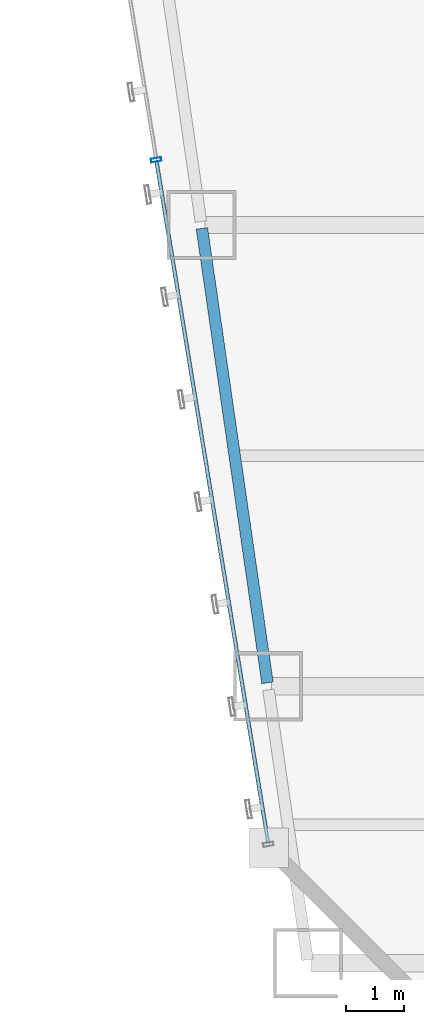
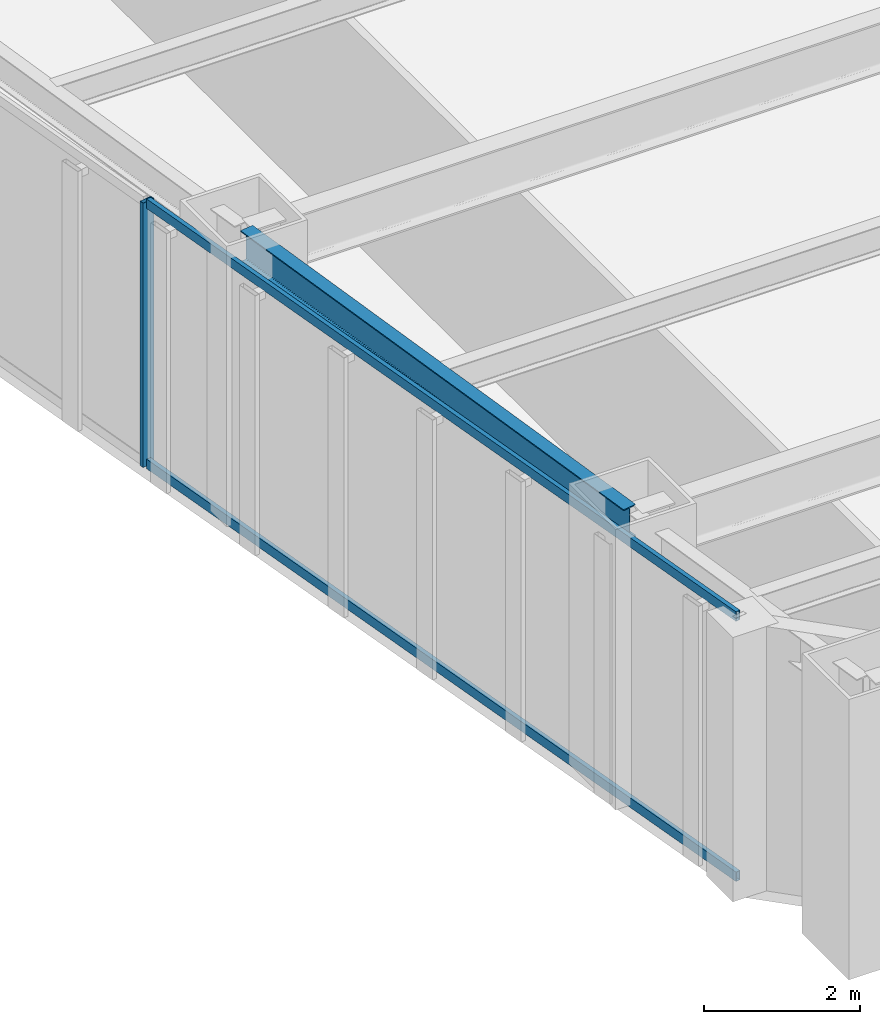
# One storey, part 5 of 47: 3 members, 1 beam, 1 element without a shape of its own.
"""IFC4 building model written with IfcOpenShell, lengths in metres."""

import ifcopenshell
import ifcopenshell.guid

model = None  # the IFC model being written
_history = None  # IfcOwnerHistory: only IFC2X3 demands one
_inside = {}  # id of a spatial element -> (the spatial element, [elements in it])
_under = {}  # id of a project, library or spatial element -> (it, [spatial elements below it])
_declared = {}  # id of a project -> (the project, [libraries it declares])
_typed = {}  # id of a type object -> (the type object, [elements of that type])
_made_of = {}  # id of a material, layer set ... -> (it, [elements and type objects made of it])


def new_model(schema):
    """Start an empty IFC model of exactly this schema.

    Asked for "IFC4X3", IfcOpenShell would pick the latest addendum, in which some entities
    have other attributes; the version numbers below select the first issue.
    IFC2X3 requires an IfcOwnerHistory on every rooted entity: one is made here for all.
    """
    global model, _history
    if schema == "IFC4X3":
        model = ifcopenshell.file(schema_version=(4, 3, 0, 0))
    else:
        model = ifcopenshell.file(schema=schema)
    _inside.clear()
    _under.clear()
    _declared.clear()
    _typed.clear()
    _made_of.clear()
    _history = None
    if model.schema == "IFC2X3":
        org = make("IfcOrganization", Name="unknown")
        user = make(
            "IfcPersonAndOrganization",
            ThePerson=make("IfcPerson", FamilyName="unknown"),
            TheOrganization=org,
        )
        app = make(
            "IfcApplication",
            ApplicationDeveloper=org,
            Version="unknown",
            ApplicationFullName="unknown",
            ApplicationIdentifier="unknown",
        )
        _history = make(
            "IfcOwnerHistory",
            OwningUser=user,
            OwningApplication=app,
            ChangeAction="ADDED",
            CreationDate=0,
        )
    return model


def make(cls, **values):
    """One entity of the class cls with the attributes given. An attribute that is None is left unset."""
    return model.create_entity(
        cls, **{name: value for name, value in values.items() if value is not None}
    )


def rooted(cls, **values):
    """An entity with a GlobalId (a new one), such as an element, a storey or a relation."""
    return make(cls, GlobalId=ifcopenshell.guid.new(), OwnerHistory=_history, **values)


def si_unit(unit_type, name, prefix=None):
    """IfcSIUnit, for example si_unit("LENGTHUNIT", "METRE", prefix="MILLI")."""
    return make("IfcSIUnit", UnitType=unit_type, Prefix=prefix, Name=name)


def assignment(units):
    """IfcUnitAssignment: the units of a project."""
    return None if units is None else make("IfcUnitAssignment", Units=units)


def point(xyz):
    """IfcCartesianPoint."""
    return None if xyz is None else make("IfcCartesianPoint", Coordinates=xyz)


def direction(xyz):
    """IfcDirection."""
    return None if xyz is None else make("IfcDirection", DirectionRatios=xyz)


def frame(location, z_axis=None, x_axis=None):
    """IfcAxis2Placement3D, a coordinate frame: its origin and axes. An axis left out is left unset."""
    return make(
        "IfcAxis2Placement3D",
        Location=point(location),
        Axis=direction(z_axis),
        RefDirection=direction(x_axis),
    )


def frame_2d(location, x_axis=None):
    """IfcAxis2Placement2D, a coordinate frame in the plane: its origin and x axis."""
    return make(
        "IfcAxis2Placement2D", Location=point(location), RefDirection=direction(x_axis)
    )


def origin():
    """The frame at (0, 0, 0) with its axes left unset."""
    return frame((0.0, 0.0, 0.0))


def origin_2d():
    """The frame at (0, 0) in the plane with its x axis left unset."""
    return frame_2d((0.0, 0.0))


def place(relative_to, where):
    """IfcLocalPlacement: puts the frame where relative to a parent placement (None: the world)."""
    return make(
        "IfcLocalPlacement", PlacementRelTo=relative_to, RelativePlacement=where
    )


def context(
    kind, dimensions, precision=None, world=None, true_north=None, identifier=None
):
    """IfcGeometricRepresentationContext, for example the 3D "Model" context."""
    return make(
        "IfcGeometricRepresentationContext",
        ContextIdentifier=identifier,
        ContextType=kind,
        CoordinateSpaceDimension=dimensions,
        Precision=precision,
        WorldCoordinateSystem=world,
        TrueNorth=true_north,
    )


def subcontext(parent, identifier, kind, view, scale=None):
    """IfcGeometricRepresentationSubContext, for example "Body" below "Model"."""
    return make(
        "IfcGeometricRepresentationSubContext",
        ContextIdentifier=identifier,
        ContextType=kind,
        ParentContext=parent,
        TargetScale=scale,
        TargetView=view,
    )


def project(units=None, contexts=None):
    """IfcProject with its units and contexts."""
    return rooted(
        "IfcProject",
        Name="project",
        RepresentationContexts=contexts,
        UnitsInContext=assignment(units),
    )


def spatial(cls, under=None, at=None, **own):
    """A site, building, storey or space (cls), placed at a placement, below another one or the project."""
    s = rooted(cls, ObjectPlacement=at, **own)
    if under is not None:
        _under.setdefault(under.id(), (under, []))[1].append(s)
    return s


def profile(cls, at=None, kind="AREA", **sizes):
    """A parametric profile (cls). Its sizes go by their IFC names, for example OverallWidth=200.0."""
    return make(cls, ProfileType=kind, Position=at, **sizes)


def hollow_rectangle(**sizes):
    """IfcRectangleHollowProfileDef."""
    return profile("IfcRectangleHollowProfileDef", **sizes)


def i_section(**sizes):
    """IfcIShapeProfileDef."""
    return profile("IfcIShapeProfileDef", **sizes)


def extrude(swept, where, along, depth):
    """IfcExtrudedAreaSolid: the profile swept, set in the frame where, extruded along a direction by depth."""
    return make(
        "IfcExtrudedAreaSolid",
        SweptArea=swept,
        Position=where,
        ExtrudedDirection=direction(along),
        Depth=depth,
    )


def shape(context_of_items, identifier, shape_type, items):
    """IfcShapeRepresentation: the items that make up one representation, for example the "Body"."""
    return make(
        "IfcShapeRepresentation",
        ContextOfItems=context_of_items,
        RepresentationIdentifier=identifier,
        RepresentationType=shape_type,
        Items=items,
    )


def material(Name=None, Category=None):
    """IfcMaterial."""
    return make("IfcMaterial", Name=Name, Category=Category)


def material_profile(
    of_material, cross_section, Name=None, Category=None, Priority=None
):
    """IfcMaterialProfile: a cross section and its material."""
    return make(
        "IfcMaterialProfile",
        Name=Name,
        Material=of_material,
        Profile=cross_section,
        Priority=Priority,
        Category=Category,
    )


def profile_set(profiles, Name=None, composite=None):
    """IfcMaterialProfileSet."""
    return make(
        "IfcMaterialProfileSet",
        Name=Name,
        MaterialProfiles=profiles,
        CompositeProfile=composite,
    )


def made_of(thing, what):
    """Note that an element or type object is made of a material, layer set ...; save() writes the relation."""
    if what is not None:
        _made_of.setdefault(what.id(), (what, []))[1].append(thing)
    return thing


def type_object(cls, material=None, **own):
    """A type object (cls), such as IfcWallType, which elements share."""
    return made_of(rooted(cls, **own), material)


def element(
    cls,
    number,
    at=None,
    inside=None,
    cuts=None,
    type_object=None,
    material=None,
    context=None,
    identifier="Body",
    shape_type=None,
    held_by="IfcProductDefinitionShape",
    body=None,
    shapes=None,
    **own,
):
    """One element of the class cls, such as IfcWall. Its Tag is "e" and its number.

    at: its placement. inside: the storey or other place that contains it. cuts: it is an
    opening in that element (IfcRelVoidsElement). A single representation is given by context,
    identifier, shape_type and body (its items); several are given by shapes. held_by: the class
    of the entity that holds the representations. save() writes the other relations.
    """
    e = rooted(cls, Tag="e%d" % number, ObjectPlacement=at, **own)
    if body is not None:
        shapes = [shape(context, identifier, shape_type, body)]
    if shapes is not None:
        e.Representation = make(held_by, Representations=shapes)
    if inside is not None:
        _inside.setdefault(inside.id(), (inside, []))[1].append(e)
    if cuts is not None:
        rooted(
            "IfcRelVoidsElement", RelatingBuildingElement=cuts, RelatedOpeningElement=e
        )
    if type_object is not None:
        _typed.setdefault(type_object.id(), (type_object, []))[1].append(e)
    return made_of(e, material)


def aggregate(whole, parts):
    """IfcRelAggregates: a whole, such as a stair, and the parts it consists of."""
    return rooted("IfcRelAggregates", RelatingObject=whole, RelatedObjects=parts)


def save(model, path):
    """Write the relations noted so far, then the file.

    IfcRelAggregates (storeys below a building ...), IfcRelContainedInSpatialStructure (elements
    in a storey), IfcRelDefinesByType, IfcRelAssociatesMaterial and IfcRelDeclares: one each for
    every whole, place, type object, material and project.
    """
    for whole, parts in _under.values():
        aggregate(whole, parts)
    for where, things in _inside.values():
        rooted(
            "IfcRelContainedInSpatialStructure",
            RelatedElements=things,
            RelatingStructure=where,
        )
    for kind, things in _typed.values():
        rooted("IfcRelDefinesByType", RelatedObjects=things, RelatingType=kind)
    for what, things in _made_of.values():
        rooted("IfcRelAssociatesMaterial", RelatedObjects=things, RelatingMaterial=what)
    for by, libraries in _declared.values():
        rooted("IfcRelDeclares", RelatingContext=by, RelatedDefinitions=libraries)
    model.write(path)


model = new_model("IFC4")

# Units and contexts
model_context = context("Model", 3, precision=1e-05, world=origin(), true_north=direction((0.0, 1.0)))
body_context = subcontext(model_context, "Body", "Model", "MODEL_VIEW")
ifc_project = project(units=[si_unit("LENGTHUNIT", "METRE"), si_unit("AREAUNIT", "SQUARE_METRE"), si_unit("VOLUMEUNIT", "CUBIC_METRE"), si_unit("PLANEANGLEUNIT", "RADIAN"), si_unit("MASSUNIT", "GRAM", prefix="KILO")], contexts=[model_context])

# Site, building, storey
site_placement = place(None, origin())
site = spatial("IfcSite", under=ifc_project, at=site_placement, CompositionType="ELEMENT")
building_placement = place(site_placement, origin())
building = spatial("IfcBuilding", under=site, at=building_placement, Name="Saevonmaru Cultural Tower", CompositionType="ELEMENT")
storey_placement = place(building_placement, frame((0.0, 0.0, 64.800048828125)))
storey = spatial("IfcBuildingStorey", under=building, at=storey_placement, Name="L13", CompositionType="ELEMENT", Elevation=64.800048828125)

# Beam
ifc_material_1 = material(Name="Steel SM355", Category="steel")
ifc_material_profile_1 = material_profile(ifc_material_1, i_section(OverallWidth=0.199951171875, OverallDepth=0.5, WebThickness=0.010009765625, FlangeThickness=0.01611328125, FilletRadius=0.02001953125, at=origin_2d()), Name="H-500x200x10x16")
ifc_profile_set_1 = profile_set([ifc_material_profile_1], Name="Steel SM355")
beam_type = type_object("IfcBeamType", Name="BM-SP-H500", PredefinedType="SPANDREL", material=ifc_profile_set_1)
beam_placement = place(storey_placement, frame((11.7744140625, 8.059326171875, 3.89990234375), z_axis=(-0.142871999001, 0.989741174197, 0.0), x_axis=(-0.989741174197, -0.142871999001, 0.0)))
element("IfcBeam", 1, at=beam_placement, inside=storey, type_object=beam_type, Name="L13 West Splayed Spandrel 2", PredefinedType="SPANDREL", context=body_context, shape_type="SweptSolid", body=[
    extrude(i_section(OverallWidth=0.199951171875, OverallDepth=0.5, WebThickness=0.010009765625, FlangeThickness=0.01611328125, FilletRadius=0.02001953125, at=origin_2d()), origin(), (0.0, 0.0, 1.0), 7.963134765625),
])

# Curtain wall, members
ifc_material_2 = material(Name="Satin Bronze Anodised Aluminium", Category="aluminium")
curtain_wall_type = type_object("IfcCurtainWallType", Name="CW-TYP-A", PredefinedType="NOTDEFINED", material=ifc_material_2)
curtain_wall_placement = place(storey_placement, origin())
curtain_wall = element("IfcCurtainWall", 2, at=curtain_wall_placement, inside=storey, type_object=curtain_wall_type, Name="L13 Unitised Curtain Wall E12", PredefinedType="NOTDEFINED")
ifc_material_profile_2 = material_profile(ifc_material_2, hollow_rectangle(XDim=0.06494140625, YDim=0.179931640625, WallThickness=0.00390625, at=origin_2d()), Name="ALU-MULL-180x65x4")
ifc_profile_set_2 = profile_set([ifc_material_profile_2], Name="Satin Bronze Anodised Aluminium")
member_type_1 = type_object("IfcMemberType", Name="ML-CW-180x65", PredefinedType="MULLION", material=ifc_profile_set_2)
member_1_placement = place(storey_placement, frame((9.84521484375, 17.129638671875, 0.0), z_axis=(0.0, 0.0, 1.0), x_axis=(0.161708868641, -0.986838508472, 0.0)))
member_1 = element("IfcMember", 3, at=member_1_placement, type_object=member_type_1, Name="CW-TW-L13-E12 mullion 4", PredefinedType="MULLION", context=body_context, shape_type="SweptSolid", body=[
    extrude(hollow_rectangle(XDim=0.06494140625, YDim=0.179931640625, WallThickness=0.00390625, at=origin_2d()), origin(), (0.0, 0.0, 1.0), 4.14990234375),
])
ifc_material_profile_3 = material_profile(ifc_material_2, hollow_rectangle(XDim=0.06494140625, YDim=0.14990234375, WallThickness=0.00390625, at=origin_2d()), Name="ALU-TRAN-150x65x4")
ifc_profile_set_3 = profile_set([ifc_material_profile_3], Name="Satin Bronze Anodised Aluminium")
member_type_2 = type_object("IfcMemberType", Name="TR-CW-150x65", PredefinedType="USERDEFINED", material=ifc_profile_set_3)
member_2_placement = place(storey_placement, frame((9.850341796875, 17.097412109375, 0.032470703125), z_axis=(0.161724530373, -0.986835941925, 0.0), x_axis=(0.986835941925, 0.161724530373, 0.0)))
member_2 = element("IfcMember", 4, at=member_2_placement, type_object=member_type_2, Name="CW-TW-L13-E12 transom 4.1", ObjectType="TRANSOM", PredefinedType="USERDEFINED", context=body_context, shape_type="SweptSolid", body=[
    extrude(hollow_rectangle(XDim=0.06494140625, YDim=0.14990234375, WallThickness=0.00390625, at=origin_2d()), origin(), (0.0, 0.0, 1.0), 11.963623046875),
])
member_3_placement = place(storey_placement, frame((9.850341796875, 17.097412109375, 4.117431640625), z_axis=(0.161724530373, -0.986835941925, 0.0), x_axis=(0.986835941925, 0.161724530373, 0.0)))
member_3 = element("IfcMember", 5, at=member_3_placement, type_object=member_type_2, Name="CW-TW-L13-E12 transom 4.2", ObjectType="TRANSOM", PredefinedType="USERDEFINED", context=body_context, shape_type="SweptSolid", body=[
    extrude(hollow_rectangle(XDim=0.06494140625, YDim=0.14990234375, WallThickness=0.00390625, at=origin_2d()), origin(), (0.0, 0.0, 1.0), 11.963623046875),
])
aggregate(curtain_wall, [member_1, member_2, member_3])

save(model, "model.ifc")
